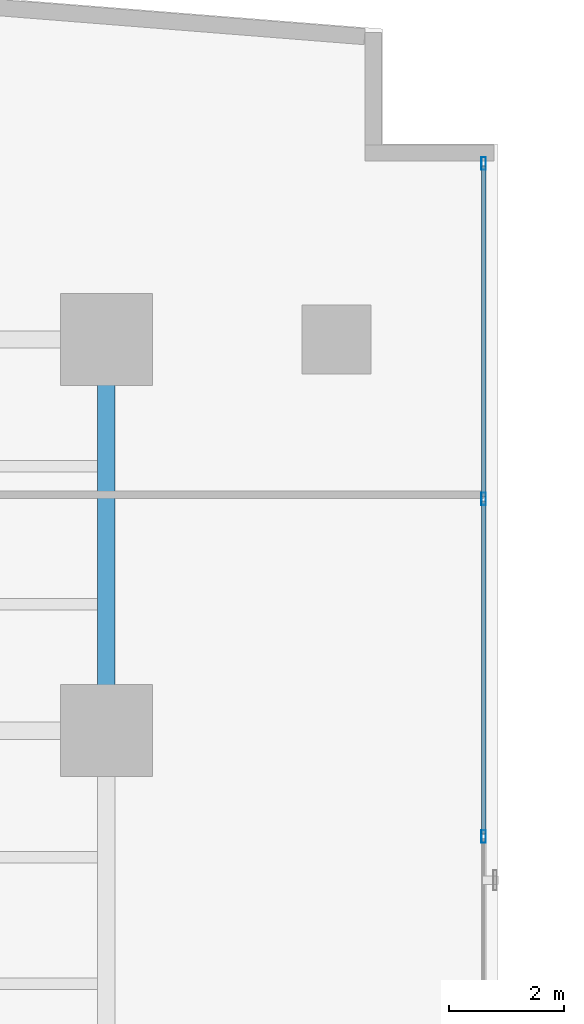
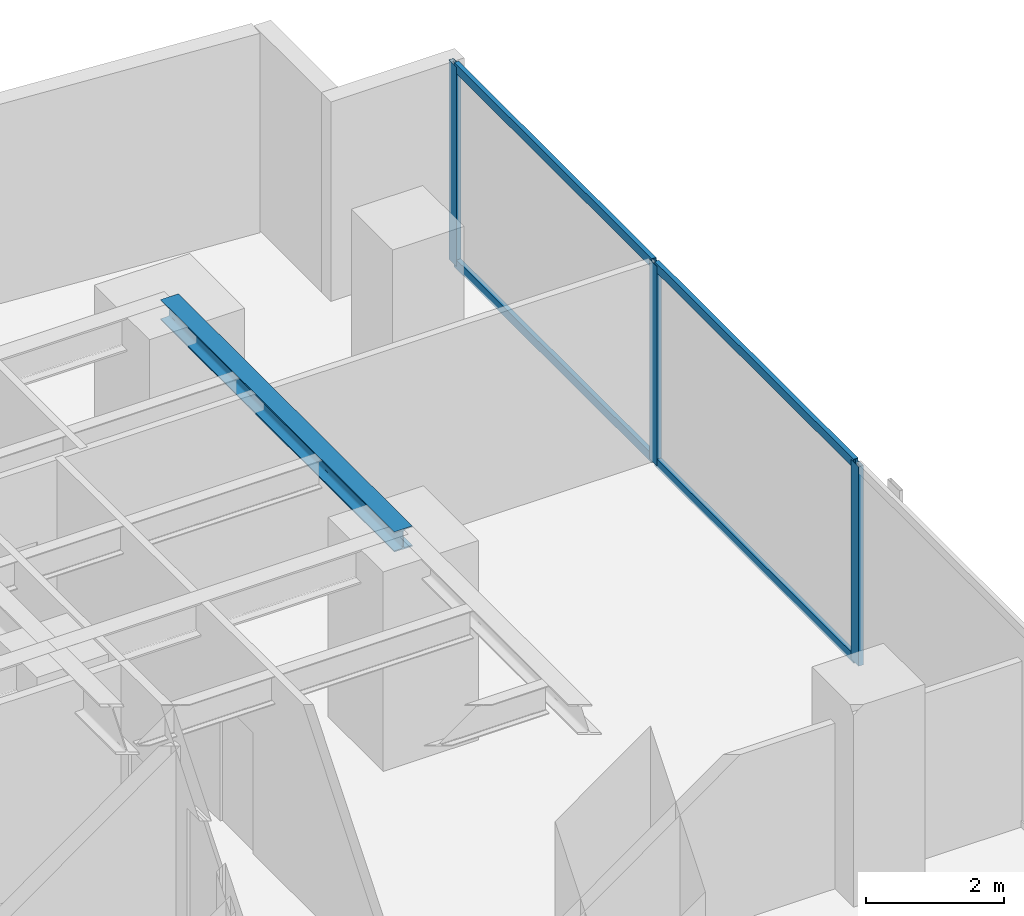
# One storey, part 19 of 26: 7 members, 1 beam, 1 element without a shape of its own.
"""IFC4 building model written with IfcOpenShell, lengths in metres."""

from ifc_helpers import new_model, si_unit, direction, frame, origin, origin_with_axes, origin_2d, place, context, subcontext, project, spatial, hollow_rectangle, i_section, extrude, source, transform, mapped, material, layer, layer_set, material_profile, profile_set, type_object, element, aggregate, save


model = new_model("IFC4")

# Units and contexts
model_context = context("Model", 3, precision=1e-05, world=origin(), true_north=direction((0.0, 1.0)))
body_context = subcontext(model_context, "Body", "Model", "MODEL_VIEW")
ifc_project = project(units=[si_unit("LENGTHUNIT", "METRE"), si_unit("AREAUNIT", "SQUARE_METRE"), si_unit("VOLUMEUNIT", "CUBIC_METRE"), si_unit("PLANEANGLEUNIT", "RADIAN"), si_unit("MASSUNIT", "GRAM", prefix="KILO")], contexts=[model_context])

# Site, building, storey
site_placement = place(None, origin())
site = spatial("IfcSite", under=ifc_project, at=site_placement, CompositionType="ELEMENT")
building_placement = place(site_placement, origin())
building = spatial("IfcBuilding", under=site, at=building_placement, Name="Kolvaren Waterfront Exchange", CompositionType="ELEMENT")
storey_placement = place(building_placement, frame((0.0, 0.0, 48.60009765625)))
storey = spatial("IfcBuildingStorey", under=building, at=storey_placement, Name="L12", CompositionType="ELEMENT", Elevation=48.60009765625)

# Beam
ifc_material_1 = material(Name="Steel S355", Category="steel")
ifc_material_profile_1 = material_profile(ifc_material_1, i_section(OverallWidth=0.300048828125, OverallDepth=0.360107421875, WebThickness=0.012451171875, FlangeThickness=0.0224609375, FilletRadius=0.027099609375, at=origin_2d()), Name="HEB360")
ifc_profile_set_1 = profile_set([ifc_material_profile_1], Name="Steel S355")
beam_type = type_object("IfcBeamType", Name="STR-BM-HEB360", PredefinedType="SPANDREL", material=ifc_profile_set_1)
beam_placement = place(storey_placement, frame((18.800048828125, 37.800048828125, 3.35986328125), z_axis=(0.0, 1.0, 0.0), x_axis=(-1.0, 0.0, 0.0)))
element("IfcBeam", 1, at=beam_placement, inside=storey, type_object=beam_type, Name="L12 north-arm edge beam 3", PredefinedType="SPANDREL", context=body_context, shape_type="SweptSolid", body=[
    extrude(i_section(OverallWidth=0.300048828125, OverallDepth=0.360107421875, WebThickness=0.012451171875, FlangeThickness=0.0224609375, FilletRadius=0.027099609375, at=origin_2d()), origin(), (0.0, 0.0, 1.0), 6.800048828125),
])

# Curtain wall, members
ifc_material_2 = material(Name="Anodised bronze aluminium 6063-T6", Category="aluminium")
ifc_layer = layer(ifc_material_2, 0.219970703125, Name="Anodised bronze aluminium 6063-T6")
ifc_layer_set = layer_set([ifc_layer], Name="Anodised bronze aluminium 6063-T6")
curtain_wall_type = type_object("IfcCurtainWallType", Name="ARC-CW-SYS1", PredefinedType="USERDEFINED", material=ifc_layer_set)
curtain_wall_placement = place(storey_placement, origin())
curtain_wall = element("IfcCurtainWall", 2, at=curtain_wall_placement, inside=storey, type_object=curtain_wall_type, Name="L12 stick curtain wall CW1 (CW-L12-NE)", ObjectType="STICK CURTAIN WALL", PredefinedType="USERDEFINED")
ifc_material_3 = material(Name="Anodised aluminium 6063-T6", Category="aluminium")
ifc_material_profile_2 = material_profile(ifc_material_3, hollow_rectangle(XDim=0.080078125, YDim=0.219970703125, WallThickness=0.0048828125, at=origin_2d()), Name="ALU-MUL-220x80x5")
ifc_profile_set_2 = profile_set([ifc_material_profile_2], Name="Anodised aluminium 6063-T6")
member_type_1 = type_object("IfcMemberType", Name="ARC-CWM-220", PredefinedType="MULLION", material=ifc_profile_set_2)
shared_shape_1 = source(origin_with_axes(), body_context, "Body", "SweptSolid", [
    extrude(hollow_rectangle(XDim=0.080078125, YDim=0.219970703125, WallThickness=0.0048828125, at=origin_2d()), origin(), (0.0, 0.0, 1.0), 3.539794921875),
])
member_1_placement = place(storey_placement, frame((25.360107421875, 35.9599609375, 0.0), z_axis=(0.0, 0.0, 1.0), x_axis=(-1.0, 0.0, 0.0)))
member_1 = element("IfcMember", 3, at=member_1_placement, type_object=member_type_1, Name="CW1 mullion 2", PredefinedType="MULLION", context=body_context, shape_type="MappedRepresentation", body=[
    mapped(shared_shape_1, transform((0.0, 0.0, 0.0), x_axis=(1.0, 0.0, 0.0), y_axis=(0.0, 1.0, 0.0), z_axis=(0.0, 0.0, 1.0), scale=1.0)),
])
member_2_placement = place(storey_placement, frame((25.360107421875, 41.830078125, 0.0), z_axis=(0.0, 0.0, 1.0), x_axis=(-1.0, 0.0, 0.0)))
member_2 = element("IfcMember", 4, at=member_2_placement, type_object=member_type_1, Name="CW1 mullion 3", PredefinedType="MULLION", context=body_context, shape_type="MappedRepresentation", body=[
    mapped(shared_shape_1, transform((0.0, 0.0, 0.0), x_axis=(1.0, 0.0, 0.0), y_axis=(0.0, 1.0, 0.0), z_axis=(0.0, 0.0, 1.0), scale=1.0)),
])
member_3_placement = place(storey_placement, frame((25.360107421875, 47.659912109375, 0.0), z_axis=(0.0, 0.0, 1.0), x_axis=(-1.0, 0.0, 0.0)))
member_3 = element("IfcMember", 5, at=member_3_placement, type_object=member_type_1, Name="CW1 mullion 4", PredefinedType="MULLION", context=body_context, shape_type="MappedRepresentation", body=[
    mapped(shared_shape_1, transform((0.0, 0.0, 0.0), x_axis=(1.0, 0.0, 0.0), y_axis=(0.0, 1.0, 0.0), z_axis=(0.0, 0.0, 1.0), scale=1.0)),
])
ifc_material_profile_3 = material_profile(ifc_material_3, hollow_rectangle(XDim=0.074951171875, YDim=0.159912109375, WallThickness=0.00439453125, at=origin_2d()), Name="ALU-TRN-160x75x4.5")
ifc_profile_set_3 = profile_set([ifc_material_profile_3], Name="Anodised aluminium 6063-T6")
member_type_2 = type_object("IfcMemberType", Name="ARC-CWT-160", PredefinedType="USERDEFINED", material=ifc_profile_set_3)
shared_shape_2 = source(origin_with_axes(), body_context, "Body", "SweptSolid", [
    extrude(hollow_rectangle(XDim=0.074951171875, YDim=0.159912109375, WallThickness=0.00439453125, at=origin_2d()), origin(), (0.0, 0.0, 1.0), 5.75),
])
member_4_placement = place(storey_placement, frame((25.360107421875, 41.8701171875, 0.037353515625), z_axis=(0.0, 1.0, 0.0), x_axis=(-1.0, 0.0, 0.0)))
member_4 = element("IfcMember", 6, at=member_4_placement, type_object=member_type_2, Name="CW1 transom 3.1", ObjectType="TRANSOM", PredefinedType="USERDEFINED", context=body_context, shape_type="MappedRepresentation", body=[
    mapped(shared_shape_2, transform((0.0, 0.0, 0.0), x_axis=(1.0, 0.0, 0.0), y_axis=(0.0, 1.0, 0.0), z_axis=(0.0, 0.0, 1.0), scale=1.0)),
])
member_5_placement = place(storey_placement, frame((25.360107421875, 41.8701171875, 3.50244140625), z_axis=(0.0, 1.0, 0.0), x_axis=(-1.0, 0.0, 0.0)))
member_5 = element("IfcMember", 7, at=member_5_placement, type_object=member_type_2, Name="CW1 transom 3.2", ObjectType="TRANSOM", PredefinedType="USERDEFINED", context=body_context, shape_type="MappedRepresentation", body=[
    mapped(shared_shape_2, transform((0.0, 0.0, 0.0), x_axis=(1.0, 0.0, 0.0), y_axis=(0.0, 1.0, 0.0), z_axis=(0.0, 0.0, 1.0), scale=1.0)),
])
shared_shape_3 = source(origin_with_axes(), body_context, "Body", "SweptSolid", [
    extrude(hollow_rectangle(XDim=0.074951171875, YDim=0.159912109375, WallThickness=0.00439453125, at=origin_2d()), origin(), (0.0, 0.0, 1.0), 5.7900390625),
])
member_6_placement = place(storey_placement, frame((25.360107421875, 36.0, 0.037353515625), z_axis=(0.0, 1.0, 0.0), x_axis=(-1.0, 0.0, 0.0)))
member_6 = element("IfcMember", 8, at=member_6_placement, type_object=member_type_2, Name="CW1 transom 2.1", ObjectType="TRANSOM", PredefinedType="USERDEFINED", context=body_context, shape_type="MappedRepresentation", body=[
    mapped(shared_shape_3, transform((0.0, 0.0, 0.0), x_axis=(1.0, 0.0, 0.0), y_axis=(0.0, 1.0, 0.0), z_axis=(0.0, 0.0, 1.0), scale=1.0)),
])
member_7_placement = place(storey_placement, frame((25.360107421875, 36.0, 3.50244140625), z_axis=(0.0, 1.0, 0.0), x_axis=(-1.0, 0.0, 0.0)))
member_7 = element("IfcMember", 9, at=member_7_placement, type_object=member_type_2, Name="CW1 transom 2.2", ObjectType="TRANSOM", PredefinedType="USERDEFINED", context=body_context, shape_type="MappedRepresentation", body=[
    mapped(shared_shape_3, transform((0.0, 0.0, 0.0), x_axis=(1.0, 0.0, 0.0), y_axis=(0.0, 1.0, 0.0), z_axis=(0.0, 0.0, 1.0), scale=1.0)),
])
aggregate(curtain_wall, [member_1, member_2, member_3, member_6, member_7, member_4, member_5])

save(model, "model.ifc")
